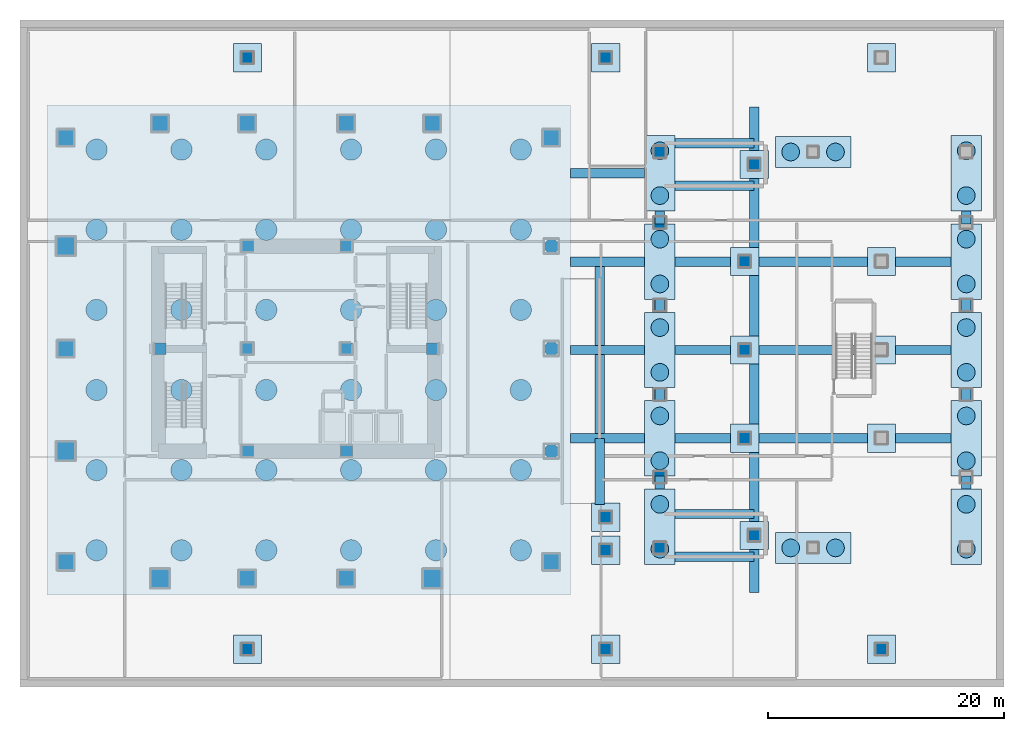
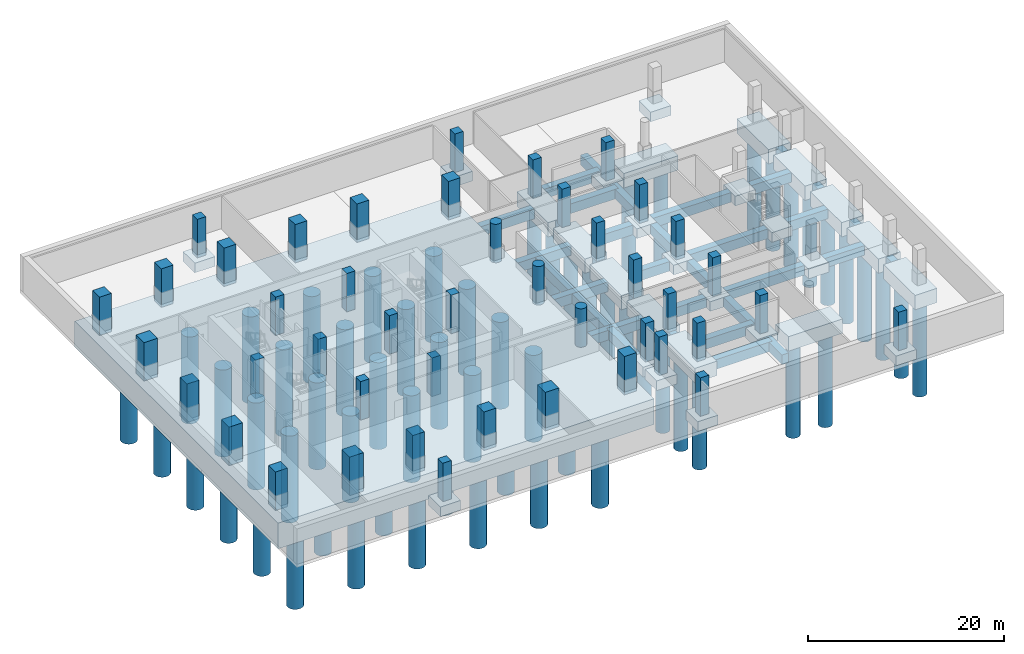
# One storey, part 1 of 13: 60 piles, 58 footings, 44 columns.
"""IFC4 building model written with IfcOpenShell, lengths in metres."""

from ifc_helpers import new_model, si_unit, direction, frame, origin, origin_2d, place, context, subcontext, project, spatial, rectangle, circle, extrude, material, material_profile, profile_set, type_object, element, save


model = new_model("IFC4")

# Units and contexts
model_context = context("Model", 3, precision=1e-05, world=origin(), true_north=direction((0.0, 1.0)))
body_context = subcontext(model_context, "Body", "Model", "MODEL_VIEW")
ifc_project = project(units=[si_unit("LENGTHUNIT", "METRE"), si_unit("AREAUNIT", "SQUARE_METRE"), si_unit("VOLUMEUNIT", "CUBIC_METRE"), si_unit("PLANEANGLEUNIT", "RADIAN"), si_unit("MASSUNIT", "GRAM", prefix="KILO")], contexts=[model_context])

# Site, building, storey
site_placement = place(None, origin())
site = spatial("IfcSite", under=ifc_project, at=site_placement, CompositionType="ELEMENT")
building_placement = place(site_placement, origin())
building = spatial("IfcBuilding", under=site, at=building_placement, Name="Solanera Arch Residences", CompositionType="ELEMENT")
storey_placement = place(building_placement, frame((0.0, 0.0, -13.199951171875)))
storey = spatial("IfcBuildingStorey", under=building, at=storey_placement, Name="B03", CompositionType="ELEMENT", Elevation=-13.199951171875)

# Piles
ifc_material_1 = material(Name="Concrete C40/50 (f'c = 45 MPa)", Category="concrete")
ifc_material_profile_1 = material_profile(ifc_material_1, circle(Radius=0.75, at=origin_2d()))
ifc_profile_set_1 = profile_set([ifc_material_profile_1], Name="Concrete C40/50 (f'c = 45 MPa)")
pile_type_1 = type_object("IfcPileType", Name="Bored Pile BP-1500", PredefinedType="BORED", material=ifc_profile_set_1)
for number, where, z_axis, x_axis, name in (
    (1, (55.800048828125, 13.699951171875, -2.050048828125), (0.0, 0.0, -1.0), (1.0, 0.0, 0.0), "Sports Hall Rock-Socketed Bored Pile 001"),
    (2, (55.800048828125, 17.5, -2.050048828125), (0.0, 0.0, -1.0), (1.0, 0.0, 0.0), "Sports Hall Rock-Socketed Bored Pile 002"),
    (3, (55.800048828125, 21.199951171875, -2.050048828125), (0.0, 0.0, -1.0), (1.0, 0.0, 0.0), "Sports Hall Rock-Socketed Bored Pile 003"),
    (4, (55.800048828125, 25.0, -2.050048828125), (0.0, 0.0, -1.0), (1.0, 0.0, 0.0), "Sports Hall Rock-Socketed Bored Pile 004"),
    (5, (55.800048828125, 28.699951171875, -2.050048828125), (0.0, 0.0, -1.0), (1.0, 0.0, 0.0), "Sports Hall Rock-Socketed Bored Pile 005"),
    (6, (55.800048828125, 32.5, -2.050048828125), (0.0, 0.0, -1.0), (1.0, 0.0, 0.0), "Sports Hall Rock-Socketed Bored Pile 006"),
    (7, (55.800048828125, 36.199951171875, -2.050048828125), (0.0, 0.0, -1.0), (1.0, 0.0, 0.0), "Sports Hall Rock-Socketed Bored Pile 007"),
    (8, (55.800048828125, 40.0, -2.050048828125), (0.0, 0.0, -1.0), (1.0, 0.0, 0.0), "Sports Hall Rock-Socketed Bored Pile 008"),
    (9, (55.800048828125, 43.699951171875, -2.050048828125), (0.0, 0.0, -1.0), (1.0, 0.0, 0.0), "Sports Hall Rock-Socketed Bored Pile 009"),
    (10, (55.800048828125, 47.5, -2.050048828125), (0.0, 0.0, -1.0), (1.0, 0.0, 0.0), "Sports Hall Rock-Socketed Bored Pile 010"),
    (11, (81.800048828125, 13.699951171875, -2.050048828125), (0.0, 0.0, -1.0), (1.0, 0.0, 0.0), "Sports Hall Rock-Socketed Bored Pile 011"),
    (12, (81.800048828125, 17.5, -2.050048828125), (0.0, 0.0, -1.0), (1.0, 0.0, 0.0), "Sports Hall Rock-Socketed Bored Pile 012"),
    (13, (81.800048828125, 21.199951171875, -2.050048828125), (0.0, 0.0, -1.0), (1.0, 0.0, 0.0), "Sports Hall Rock-Socketed Bored Pile 013"),
    (14, (81.800048828125, 25.0, -2.050048828125), (0.0, 0.0, -1.0), (1.0, 0.0, 0.0), "Sports Hall Rock-Socketed Bored Pile 014"),
    (15, (81.800048828125, 28.699951171875, -2.050048828125), (0.0, 0.0, -1.0), (1.0, 0.0, 0.0), "Sports Hall Rock-Socketed Bored Pile 015"),
    (16, (81.800048828125, 32.5, -2.050048828125), (0.0, 0.0, -1.0), (1.0, 0.0, 0.0), "Sports Hall Rock-Socketed Bored Pile 016"),
    (17, (81.800048828125, 36.199951171875, -2.050048828125), (0.0, 0.0, -1.0), (1.0, 0.0, 0.0), "Sports Hall Rock-Socketed Bored Pile 017"),
    (18, (81.800048828125, 40.0, -2.050048828125), (0.0, 0.0, -1.0), (1.0, 0.0, 0.0), "Sports Hall Rock-Socketed Bored Pile 018"),
    (19, (81.800048828125, 43.699951171875, -2.050048828125), (0.0, 0.0, -1.0), (1.0, 0.0, 0.0), "Sports Hall Rock-Socketed Bored Pile 019"),
    (20, (81.800048828125, 47.5, -2.050048828125), (0.0, 0.0, -1.0), (1.0, 0.0, 0.0), "Sports Hall Rock-Socketed Bored Pile 020"),
    (21, (66.89990234375, 13.800048828125, -2.050048828125), (0.0, 0.0, -1.0), (1.0, 0.0, 0.0), "Sports Hall Rock-Socketed Bored Pile 021"),
    (22, (70.699951171875, 13.800048828125, -2.050048828125), (0.0, 0.0, -1.0), (1.0, 0.0, 0.0), "Sports Hall Rock-Socketed Bored Pile 022"),
    (23, (66.89990234375, 47.39990234375, -2.050048828125), (0.0, 0.0, -1.0), (1.0, 0.0, 0.0), "Sports Hall Rock-Socketed Bored Pile 023"),
    (24, (70.699951171875, 47.39990234375, -2.050048828125), (0.0, 0.0, -1.0), (1.0, 0.0, 0.0), "Sports Hall Rock-Socketed Bored Pile 024"),
):
    element("IfcPile", number, at=place(storey_placement, frame(where, z_axis=z_axis, x_axis=x_axis)), inside=storey, type_object=pile_type_1, Name=name, PredefinedType="BORED", context=body_context, shape_type="SweptSolid", body=[
        extrude(circle(Radius=0.75, at=origin_2d()), origin(), (0.0, 0.0, 1.0), 11.75),
    ])
ifc_material_2 = material(Name="Concrete C40/50 (f'c = 45 MPa)", Category="concrete")
ifc_material_profile_2 = material_profile(ifc_material_2, circle(Radius=0.89990234375, at=origin_2d()))
ifc_profile_set_2 = profile_set([ifc_material_profile_2], Name="Concrete C40/50 (f'c = 45 MPa)")
pile_type_2 = type_object("IfcPileType", Name="Bored Pile BP-1800", PredefinedType="BORED", material=ifc_profile_set_2)
for number, where, z_axis, x_axis, name in (
    (25, (8.0, 13.60009765625, -3.449951171875), (0.0, 0.0, -1.0), (1.0, 0.0, 0.0), "Tower Rock-Socketed Bored Pile 001"),
    (26, (8.0, 20.39990234375, -3.449951171875), (0.0, 0.0, -1.0), (1.0, 0.0, 0.0), "Tower Rock-Socketed Bored Pile 002"),
    (27, (8.0, 27.199951171875, -3.449951171875), (0.0, 0.0, -1.0), (1.0, 0.0, 0.0), "Tower Rock-Socketed Bored Pile 003"),
    (28, (8.0, 34.0, -3.449951171875), (0.0, 0.0, -1.0), (1.0, 0.0, 0.0), "Tower Rock-Socketed Bored Pile 004"),
    (29, (8.0, 40.800048828125, -3.449951171875), (0.0, 0.0, -1.0), (1.0, 0.0, 0.0), "Tower Rock-Socketed Bored Pile 005"),
    (30, (8.0, 47.60009765625, -3.449951171875), (0.0, 0.0, -1.0), (1.0, 0.0, 0.0), "Tower Rock-Socketed Bored Pile 006"),
    (31, (15.199951171875, 13.60009765625, -3.449951171875), (0.0, 0.0, -1.0), (1.0, 0.0, 0.0), "Tower Rock-Socketed Bored Pile 007"),
    (32, (15.199951171875, 20.39990234375, -3.449951171875), (0.0, 0.0, -1.0), (1.0, 0.0, 0.0), "Tower Rock-Socketed Bored Pile 008"),
    (33, (15.199951171875, 27.199951171875, -3.449951171875), (0.0, 0.0, -1.0), (1.0, 0.0, 0.0), "Tower Rock-Socketed Bored Pile 009"),
    (34, (15.199951171875, 34.0, -3.449951171875), (0.0, 0.0, -1.0), (1.0, 0.0, 0.0), "Tower Rock-Socketed Bored Pile 010"),
    (35, (15.199951171875, 40.800048828125, -3.449951171875), (0.0, 0.0, -1.0), (1.0, 0.0, 0.0), "Tower Rock-Socketed Bored Pile 011"),
    (36, (15.199951171875, 47.60009765625, -3.449951171875), (0.0, 0.0, -1.0), (1.0, 0.0, 0.0), "Tower Rock-Socketed Bored Pile 012"),
    (37, (22.39990234375, 13.60009765625, -3.449951171875), (0.0, 0.0, -1.0), (1.0, 0.0, 0.0), "Tower Rock-Socketed Bored Pile 013"),
    (38, (22.39990234375, 20.39990234375, -3.449951171875), (0.0, 0.0, -1.0), (1.0, 0.0, 0.0), "Tower Rock-Socketed Bored Pile 014"),
    (39, (22.39990234375, 27.199951171875, -3.449951171875), (0.0, 0.0, -1.0), (1.0, 0.0, 0.0), "Tower Rock-Socketed Bored Pile 015"),
    (40, (22.39990234375, 34.0, -3.449951171875), (0.0, 0.0, -1.0), (1.0, 0.0, 0.0), "Tower Rock-Socketed Bored Pile 016"),
    (41, (22.39990234375, 40.800048828125, -3.449951171875), (0.0, 0.0, -1.0), (1.0, 0.0, 0.0), "Tower Rock-Socketed Bored Pile 017"),
    (42, (22.39990234375, 47.60009765625, -3.449951171875), (0.0, 0.0, -1.0), (1.0, 0.0, 0.0), "Tower Rock-Socketed Bored Pile 018"),
    (43, (29.60009765625, 13.60009765625, -3.449951171875), (0.0, 0.0, -1.0), (1.0, 0.0, 0.0), "Tower Rock-Socketed Bored Pile 019"),
    (44, (29.60009765625, 20.39990234375, -3.449951171875), (0.0, 0.0, -1.0), (1.0, 0.0, 0.0), "Tower Rock-Socketed Bored Pile 020"),
    (45, (29.60009765625, 27.199951171875, -3.449951171875), (0.0, 0.0, -1.0), (1.0, 0.0, 0.0), "Tower Rock-Socketed Bored Pile 021"),
    (46, (29.60009765625, 34.0, -3.449951171875), (0.0, 0.0, -1.0), (1.0, 0.0, 0.0), "Tower Rock-Socketed Bored Pile 022"),
    (47, (29.60009765625, 40.800048828125, -3.449951171875), (0.0, 0.0, -1.0), (1.0, 0.0, 0.0), "Tower Rock-Socketed Bored Pile 023"),
    (48, (29.60009765625, 47.60009765625, -3.449951171875), (0.0, 0.0, -1.0), (1.0, 0.0, 0.0), "Tower Rock-Socketed Bored Pile 024"),
    (49, (36.800048828125, 13.60009765625, -3.449951171875), (0.0, 0.0, -1.0), (1.0, 0.0, 0.0), "Tower Rock-Socketed Bored Pile 025"),
    (50, (36.800048828125, 20.39990234375, -3.449951171875), (0.0, 0.0, -1.0), (1.0, 0.0, 0.0), "Tower Rock-Socketed Bored Pile 026"),
    (51, (36.800048828125, 27.199951171875, -3.449951171875), (0.0, 0.0, -1.0), (1.0, 0.0, 0.0), "Tower Rock-Socketed Bored Pile 027"),
    (52, (36.800048828125, 34.0, -3.449951171875), (0.0, 0.0, -1.0), (1.0, 0.0, 0.0), "Tower Rock-Socketed Bored Pile 028"),
    (53, (36.800048828125, 40.800048828125, -3.449951171875), (0.0, 0.0, -1.0), (1.0, 0.0, 0.0), "Tower Rock-Socketed Bored Pile 029"),
    (54, (36.800048828125, 47.60009765625, -3.449951171875), (0.0, 0.0, -1.0), (1.0, 0.0, 0.0), "Tower Rock-Socketed Bored Pile 030"),
    (55, (44.0, 13.60009765625, -3.449951171875), (0.0, 0.0, -1.0), (1.0, 0.0, 0.0), "Tower Rock-Socketed Bored Pile 031"),
    (56, (44.0, 20.39990234375, -3.449951171875), (0.0, 0.0, -1.0), (1.0, 0.0, 0.0), "Tower Rock-Socketed Bored Pile 032"),
    (57, (44.0, 27.199951171875, -3.449951171875), (0.0, 0.0, -1.0), (1.0, 0.0, 0.0), "Tower Rock-Socketed Bored Pile 033"),
    (58, (44.0, 34.0, -3.449951171875), (0.0, 0.0, -1.0), (1.0, 0.0, 0.0), "Tower Rock-Socketed Bored Pile 034"),
    (59, (44.0, 40.800048828125, -3.449951171875), (0.0, 0.0, -1.0), (1.0, 0.0, 0.0), "Tower Rock-Socketed Bored Pile 035"),
    (60, (44.0, 47.60009765625, -3.449951171875), (0.0, 0.0, -1.0), (1.0, 0.0, 0.0), "Tower Rock-Socketed Bored Pile 036"),
):
    element("IfcPile", number, at=place(storey_placement, frame(where, z_axis=z_axis, x_axis=x_axis)), inside=storey, type_object=pile_type_2, Name=name, PredefinedType="BORED", context=body_context, shape_type="SweptSolid", body=[
        extrude(circle(Radius=0.89990234375, at=origin_2d()), origin(), (0.0, 0.0, 1.0), 10.85009765625),
    ])

# Footings
ifc_material_3 = material(Name="Concrete C40/50 (f'c = 45 MPa)", Category="concrete")
footing_type_1 = type_object("IfcFootingType", Name="Grade Footing Beam FB-800X1200", PredefinedType="FOOTING_BEAM", material=ifc_material_3)
for number, where, z_axis, x_axis, name in (
    (61, (51.35009765625, 23.10009765625, -1.60009765625), (0.0, 0.0, 1.0), (1.0, 0.0, 0.0), "Foundation Tie Beam 01"),
    (62, (51.35009765625, 30.60009765625, -1.60009765625), (0.0, 0.0, 1.0), (1.0, 0.0, 0.0), "Foundation Tie Beam 02"),
    (63, (51.35009765625, 38.10009765625, -1.60009765625), (0.0, 0.0, 1.0), (1.0, 0.0, 0.0), "Foundation Tie Beam 03"),
    (64, (51.35009765625, 45.60009765625, -1.60009765625), (0.0, 0.0, 1.0), (1.0, 0.0, 0.0), "Foundation Tie Beam 04"),
):
    element("IfcFooting", number, at=place(storey_placement, frame(where, z_axis=z_axis, x_axis=x_axis)), inside=storey, type_object=footing_type_1, Name=name, PredefinedType="FOOTING_BEAM", context=body_context, shape_type="SweptSolid", body=[
        extrude(rectangle(XDim=6.300048828125, YDim=0.800048828125, at=origin_2d()), origin(), (0.0, 0.0, 1.0), 1.199951171875),
    ])
for number, where, z_axis, x_axis, name in (
    (65, (55.800048828125, 19.35009765625, -1.60009765625), (0.0, 0.0, 1.0), (1.0, 0.0, 0.0), "Foundation Tie Beam 05"),
    (66, (81.800048828125, 19.35009765625, -1.60009765625), (0.0, 0.0, 1.0), (1.0, 0.0, 0.0), "Foundation Tie Beam 06"),
    (67, (55.800048828125, 26.85009765625, -1.60009765625), (0.0, 0.0, 1.0), (1.0, 0.0, 0.0), "Foundation Tie Beam 07"),
    (68, (81.800048828125, 26.85009765625, -1.60009765625), (0.0, 0.0, 1.0), (1.0, 0.0, 0.0), "Foundation Tie Beam 08"),
    (69, (55.800048828125, 34.35009765625, -1.60009765625), (0.0, 0.0, 1.0), (1.0, 0.0, 0.0), "Foundation Tie Beam 09"),
    (70, (81.800048828125, 34.35009765625, -1.60009765625), (0.0, 0.0, 1.0), (1.0, 0.0, 0.0), "Foundation Tie Beam 10"),
    (71, (55.800048828125, 41.85009765625, -1.60009765625), (0.0, 0.0, 1.0), (1.0, 0.0, 0.0), "Foundation Tie Beam 11"),
    (72, (81.800048828125, 41.85009765625, -1.60009765625), (0.0, 0.0, 1.0), (1.0, 0.0, 0.0), "Foundation Tie Beam 12"),
):
    element("IfcFooting", number, at=place(storey_placement, frame(where, z_axis=z_axis, x_axis=x_axis)), inside=storey, type_object=footing_type_1, Name=name, PredefinedType="FOOTING_BEAM", context=body_context, shape_type="SweptSolid", body=[
        extrude(rectangle(XDim=0.800048828125, YDim=1.10009765625, at=origin_2d()), origin(), (0.0, 0.0, 1.0), 1.199951171875),
    ])
footing_1_placement = place(storey_placement, frame((59.449951171875, 23.10009765625, -1.60009765625), z_axis=(0.0, 0.0, 1.0), x_axis=(1.0, 0.0, 0.0)))
element("IfcFooting", 73, at=footing_1_placement, inside=storey, type_object=footing_type_1, Name="Foundation Tie Beam 13", PredefinedType="FOOTING_BEAM", context=body_context, shape_type="SweptSolid", body=[
    extrude(rectangle(XDim=4.699951171875, YDim=0.800048828125, at=origin_2d()), origin(), (0.0, 0.0, 1.0), 1.199951171875),
])
footing_2_placement = place(storey_placement, frame((68.800048828125, 23.10009765625, -1.60009765625), z_axis=(0.0, 0.0, 1.0), x_axis=(1.0, 0.0, 0.0)))
element("IfcFooting", 74, at=footing_2_placement, inside=storey, type_object=footing_type_1, Name="Foundation Tie Beam 14", PredefinedType="FOOTING_BEAM", context=body_context, shape_type="SweptSolid", body=[
    extrude(rectangle(XDim=9.199951171875, YDim=0.800048828125, at=origin_2d()), origin(), (0.0, 0.0, 1.0), 1.199951171875),
])
for number, where, z_axis, x_axis, name in (
    (75, (78.14990234375, 23.10009765625, -1.60009765625), (0.0, 0.0, 1.0), (1.0, 0.0, 0.0), "Foundation Tie Beam 15"),
    (76, (59.449951171875, 30.60009765625, -1.60009765625), (0.0, 0.0, 1.0), (1.0, 0.0, 0.0), "Foundation Tie Beam 16"),
):
    element("IfcFooting", number, at=place(storey_placement, frame(where, z_axis=z_axis, x_axis=x_axis)), inside=storey, type_object=footing_type_1, Name=name, PredefinedType="FOOTING_BEAM", context=body_context, shape_type="SweptSolid", body=[
        extrude(rectangle(XDim=4.699951171875, YDim=0.800048828125, at=origin_2d()), origin(), (0.0, 0.0, 1.0), 1.199951171875),
    ])
footing_3_placement = place(storey_placement, frame((68.800048828125, 30.60009765625, -1.60009765625), z_axis=(0.0, 0.0, 1.0), x_axis=(1.0, 0.0, 0.0)))
element("IfcFooting", 77, at=footing_3_placement, inside=storey, type_object=footing_type_1, Name="Foundation Tie Beam 17", PredefinedType="FOOTING_BEAM", context=body_context, shape_type="SweptSolid", body=[
    extrude(rectangle(XDim=9.199951171875, YDim=0.800048828125, at=origin_2d()), origin(), (0.0, 0.0, 1.0), 1.199951171875),
])
for number, where, z_axis, x_axis, name in (
    (78, (78.14990234375, 30.60009765625, -1.60009765625), (0.0, 0.0, 1.0), (1.0, 0.0, 0.0), "Foundation Tie Beam 18"),
    (79, (59.449951171875, 38.10009765625, -1.60009765625), (0.0, 0.0, 1.0), (1.0, 0.0, 0.0), "Foundation Tie Beam 19"),
):
    element("IfcFooting", number, at=place(storey_placement, frame(where, z_axis=z_axis, x_axis=x_axis)), inside=storey, type_object=footing_type_1, Name=name, PredefinedType="FOOTING_BEAM", context=body_context, shape_type="SweptSolid", body=[
        extrude(rectangle(XDim=4.699951171875, YDim=0.800048828125, at=origin_2d()), origin(), (0.0, 0.0, 1.0), 1.199951171875),
    ])
footing_4_placement = place(storey_placement, frame((68.800048828125, 38.10009765625, -1.60009765625), z_axis=(0.0, 0.0, 1.0), x_axis=(1.0, 0.0, 0.0)))
element("IfcFooting", 80, at=footing_4_placement, inside=storey, type_object=footing_type_1, Name="Foundation Tie Beam 20", PredefinedType="FOOTING_BEAM", context=body_context, shape_type="SweptSolid", body=[
    extrude(rectangle(XDim=9.199951171875, YDim=0.800048828125, at=origin_2d()), origin(), (0.0, 0.0, 1.0), 1.199951171875),
])
footing_5_placement = place(storey_placement, frame((78.14990234375, 38.10009765625, -1.60009765625), z_axis=(0.0, 0.0, 1.0), x_axis=(1.0, 0.0, 0.0)))
element("IfcFooting", 81, at=footing_5_placement, inside=storey, type_object=footing_type_1, Name="Foundation Tie Beam 21", PredefinedType="FOOTING_BEAM", context=body_context, shape_type="SweptSolid", body=[
    extrude(rectangle(XDim=4.699951171875, YDim=0.800048828125, at=origin_2d()), origin(), (0.0, 0.0, 1.0), 1.199951171875),
])
for number, where, z_axis, x_axis, name in (
    (82, (60.449951171875, 13.06005859375, -1.60009765625), (0.0, 0.0, 1.0), (1.0, 0.0, 0.0), "Foundation Tie Beam 22"),
    (83, (60.449951171875, 16.679931640625, -1.60009765625), (0.0, 0.0, 1.0), (1.0, 0.0, 0.0), "Foundation Tie Beam 23"),
    (84, (60.449951171875, 44.52001953125, -1.60009765625), (0.0, 0.0, 1.0), (1.0, 0.0, 0.0), "Foundation Tie Beam 24"),
    (85, (60.449951171875, 48.139892578125, -1.60009765625), (0.0, 0.0, 1.0), (1.0, 0.0, 0.0), "Foundation Tie Beam 25"),
):
    element("IfcFooting", number, at=place(storey_placement, frame(where, z_axis=z_axis, x_axis=x_axis)), inside=storey, type_object=footing_type_1, Name=name, PredefinedType="FOOTING_BEAM", context=body_context, shape_type="SweptSolid", body=[
        extrude(rectangle(XDim=6.699951171875, YDim=0.800048828125, at=origin_2d()), origin(), (0.0, 0.0, 1.0), 1.199951171875),
    ])
footing_6_placement = place(storey_placement, frame((63.800048828125, 30.60009765625, -1.60009765625), z_axis=(0.0, 0.0, 1.0), x_axis=(1.0, 0.0, 0.0)))
element("IfcFooting", 86, at=footing_6_placement, inside=storey, type_object=footing_type_1, Name="Foundation Tie Beam 26", PredefinedType="FOOTING_BEAM", context=body_context, shape_type="SweptSolid", body=[
    extrude(rectangle(XDim=0.800048828125, YDim=41.199951171875, at=origin_2d()), origin(), (0.0, 0.0, 1.0), 1.199951171875),
])
footing_7_placement = place(storey_placement, frame((50.679931640625, 20.300048828125, -1.60009765625), z_axis=(0.0, 0.0, 1.0), x_axis=(1.0, 0.0, 0.0)))
element("IfcFooting", 87, at=footing_7_placement, inside=storey, type_object=footing_type_1, Name="Foundation Tie Beam 27", PredefinedType="FOOTING_BEAM", context=body_context, shape_type="SweptSolid", body=[
    extrude(rectangle(XDim=0.800048828125, YDim=5.60009765625, at=origin_2d()), origin(), (0.0, 0.0, 1.0), 1.199951171875),
])
for number, where, z_axis, x_axis, name in (
    (88, (50.679931640625, 26.85009765625, -1.60009765625), (0.0, 0.0, 1.0), (1.0, 0.0, 0.0), "Foundation Tie Beam 28"),
    (89, (50.679931640625, 34.35009765625, -1.60009765625), (0.0, 0.0, 1.0), (1.0, 0.0, 0.0), "Foundation Tie Beam 29"),
):
    element("IfcFooting", number, at=place(storey_placement, frame(where, z_axis=z_axis, x_axis=x_axis)), inside=storey, type_object=footing_type_1, Name=name, PredefinedType="FOOTING_BEAM", context=body_context, shape_type="SweptSolid", body=[
        extrude(rectangle(XDim=0.800048828125, YDim=7.5, at=origin_2d()), origin(), (0.0, 0.0, 1.0), 1.199951171875),
    ])
ifc_material_4 = material(Name="Concrete C40/50 (f'c = 45 MPa)", Category="concrete")
footing_type_2 = type_object("IfcFootingType", Name="Pad Footing PF-2400", PredefinedType="PAD_FOOTING", material=ifc_material_4)
for number, where, z_axis, x_axis, name in (
    (90, (63.0, 23.10009765625, -1.60009765625), (0.0, 0.0, 1.0), (1.0, 0.0, 0.0), "Basement Plinth Pad Footing FT-PAD-01"),
    (91, (74.60009765625, 23.10009765625, -1.60009765625), (0.0, 0.0, 1.0), (1.0, 0.0, 0.0), "Basement Plinth Pad Footing FT-PAD-02"),
    (92, (63.0, 30.60009765625, -1.60009765625), (0.0, 0.0, 1.0), (1.0, 0.0, 0.0), "Basement Plinth Pad Footing FT-PAD-03"),
    (93, (74.60009765625, 30.60009765625, -1.60009765625), (0.0, 0.0, 1.0), (1.0, 0.0, 0.0), "Basement Plinth Pad Footing FT-PAD-04"),
    (94, (63.0, 38.10009765625, -1.60009765625), (0.0, 0.0, 1.0), (1.0, 0.0, 0.0), "Basement Plinth Pad Footing FT-PAD-05"),
    (95, (74.60009765625, 38.10009765625, -1.60009765625), (0.0, 0.0, 1.0), (1.0, 0.0, 0.0), "Basement Plinth Pad Footing FT-PAD-06"),
    (96, (51.199951171875, 13.60009765625, -1.60009765625), (0.0, 0.0, 1.0), (1.0, 0.0, 0.0), "Basement Plinth Pad Footing FT-PAD-07"),
    (97, (51.199951171875, 16.39990234375, -1.60009765625), (0.0, 0.0, 1.0), (1.0, 0.0, 0.0), "Basement Plinth Pad Footing FT-PAD-08"),
    (98, (20.800048828125, 5.199951171875, -1.60009765625), (0.0, 0.0, 1.0), (1.0, 0.0, 0.0), "Basement Plinth Pad Footing FT-PAD-09"),
    (99, (51.199951171875, 5.199951171875, -1.60009765625), (0.0, 0.0, 1.0), (1.0, 0.0, 0.0), "Basement Plinth Pad Footing FT-PAD-10"),
    (100, (74.60009765625, 5.199951171875, -1.60009765625), (0.0, 0.0, 1.0), (1.0, 0.0, 0.0), "Basement Plinth Pad Footing FT-PAD-11"),
    (101, (20.800048828125, 55.39990234375, -1.60009765625), (0.0, 0.0, 1.0), (1.0, 0.0, 0.0), "Basement Plinth Pad Footing FT-PAD-12"),
    (102, (51.199951171875, 55.39990234375, -1.60009765625), (0.0, 0.0, 1.0), (1.0, 0.0, 0.0), "Basement Plinth Pad Footing FT-PAD-13"),
    (103, (74.60009765625, 55.39990234375, -1.60009765625), (0.0, 0.0, 1.0), (1.0, 0.0, 0.0), "Basement Plinth Pad Footing FT-PAD-14"),
    (104, (63.800048828125, 14.860107421875, -1.60009765625), (0.0, 0.0, 1.0), (1.0, 0.0, 0.0), "Basement Plinth Pad Footing FT-PAD-15"),
    (105, (63.800048828125, 46.340087890625, -1.60009765625), (0.0, 0.0, 1.0), (1.0, 0.0, 0.0), "Basement Plinth Pad Footing FT-PAD-16"),
):
    element("IfcFooting", number, at=place(storey_placement, frame(where, z_axis=z_axis, x_axis=x_axis)), inside=storey, type_object=footing_type_2, Name=name, PredefinedType="PAD_FOOTING", context=body_context, shape_type="SweptSolid", body=[
        extrude(rectangle(XDim=2.39990234375, YDim=2.39990234375, at=origin_2d()), origin(), (0.0, 0.0, 1.0), 1.199951171875),
    ])
ifc_material_5 = material(Name="Concrete C40/50 (f'c = 45 MPa)", Category="concrete")
footing_type_3 = type_object("IfcFootingType", Name="Pile Cap PC-2600X6400", PredefinedType="PILE_CAP", material=ifc_material_5)
for number, where, z_axis, x_axis, name in (
    (106, (55.800048828125, 15.60009765625, -2.2001953125), (0.0, 0.0, 1.0), (1.0, 0.0, 0.0), "Sports Hall Pile Cap FT-SH-W1"),
    (107, (55.800048828125, 23.10009765625, -2.2001953125), (0.0, 0.0, 1.0), (1.0, 0.0, 0.0), "Sports Hall Pile Cap FT-SH-W2"),
    (108, (55.800048828125, 30.60009765625, -2.2001953125), (0.0, 0.0, 1.0), (1.0, 0.0, 0.0), "Sports Hall Pile Cap FT-SH-W3"),
    (109, (55.800048828125, 38.10009765625, -2.2001953125), (0.0, 0.0, 1.0), (1.0, 0.0, 0.0), "Sports Hall Pile Cap FT-SH-W4"),
    (110, (55.800048828125, 45.60009765625, -2.2001953125), (0.0, 0.0, 1.0), (1.0, 0.0, 0.0), "Sports Hall Pile Cap FT-SH-W5"),
    (111, (81.800048828125, 15.60009765625, -2.2001953125), (0.0, 0.0, 1.0), (1.0, 0.0, 0.0), "Sports Hall Pile Cap FT-SH-E1"),
    (112, (81.800048828125, 23.10009765625, -2.2001953125), (0.0, 0.0, 1.0), (1.0, 0.0, 0.0), "Sports Hall Pile Cap FT-SH-E2"),
    (113, (81.800048828125, 30.60009765625, -2.2001953125), (0.0, 0.0, 1.0), (1.0, 0.0, 0.0), "Sports Hall Pile Cap FT-SH-E3"),
    (114, (81.800048828125, 38.10009765625, -2.2001953125), (0.0, 0.0, 1.0), (1.0, 0.0, 0.0), "Sports Hall Pile Cap FT-SH-E4"),
    (115, (81.800048828125, 45.60009765625, -2.2001953125), (0.0, 0.0, 1.0), (1.0, 0.0, 0.0), "Sports Hall Pile Cap FT-SH-E5"),
):
    element("IfcFooting", number, at=place(storey_placement, frame(where, z_axis=z_axis, x_axis=x_axis)), inside=storey, type_object=footing_type_3, Name=name, PredefinedType="PILE_CAP", context=body_context, shape_type="SweptSolid", body=[
        extrude(rectangle(XDim=2.60009765625, YDim=6.39990234375, at=origin_2d()), origin(), (0.0, 0.0, 1.0), 1.800048828125),
    ])
ifc_material_6 = material(Name="Concrete C40/50 (f'c = 45 MPa)", Category="concrete")
footing_type_4 = type_object("IfcFootingType", Name="Pile Cap PC-6400X2600", PredefinedType="PILE_CAP", material=ifc_material_6)
for number, where, z_axis, x_axis, name in (
    (116, (68.800048828125, 13.800048828125, -2.2001953125), (0.0, 0.0, 1.0), (1.0, 0.0, 0.0), "Sports Hall Pile Cap FT-SH-S1"),
    (117, (68.800048828125, 47.39990234375, -2.2001953125), (0.0, 0.0, 1.0), (1.0, 0.0, 0.0), "Sports Hall Pile Cap FT-SH-N1"),
):
    element("IfcFooting", number, at=place(storey_placement, frame(where, z_axis=z_axis, x_axis=x_axis)), inside=storey, type_object=footing_type_4, Name=name, PredefinedType="PILE_CAP", context=body_context, shape_type="SweptSolid", body=[
        extrude(rectangle(XDim=6.39990234375, YDim=2.60009765625, at=origin_2d()), origin(), (0.0, 0.0, 1.0), 1.800048828125),
    ])
ifc_material_7 = material(Name="Concrete C55/67 (f'c = 60 MPa)", Category="concrete")
footing_type_5 = type_object("IfcFootingType", Name="Piled Raft Foundation RF-3200", PredefinedType="PILE_CAP", material=ifc_material_7)
footing_8_placement = place(storey_placement, frame((26.0, 30.60009765625, -3.60009765625), z_axis=(0.0, 0.0, 1.0), x_axis=(1.0, 0.0, 0.0)))
element("IfcFooting", 118, at=footing_8_placement, inside=storey, type_object=footing_type_5, Name="Tower B03 High-Strength Piled Raft", PredefinedType="PILE_CAP", context=body_context, shape_type="SweptSolid", body=[
    extrude(rectangle(XDim=44.39990234375, YDim=41.60009765625, at=origin_2d()), origin(), (0.0, 0.0, 1.0), 3.199951171875),
])

# Columns
ifc_material_8 = material(Name="Concrete C55/67 (f'c = 60 MPa)", Category="concrete")
ifc_material_profile_3 = material_profile(ifc_material_8, rectangle(XDim=1.0, YDim=1.0, at=origin_2d()))
ifc_profile_set_3 = profile_set([ifc_material_profile_3], Name="Concrete C55/67 (f'c = 60 MPa)")
column_type_1 = type_object("IfcColumnType", Name="Structural Column RC-COL-1000X1000", PredefinedType="COLUMN", material=ifc_profile_set_3)
for number, where, z_axis, x_axis, name in (
    (119, (20.800048828125, 22.0, -0.400146484375), (0.0, 0.0, 1.0), (1.0, 0.0, 0.0), "COL-B03-CB-SW"),
    (120, (29.199951171875, 22.0, -0.400146484375), (0.0, 0.0, 1.0), (1.0, 0.0, 0.0), "COL-B03-CB-SE"),
    (121, (20.800048828125, 39.39990234375, -0.400146484375), (0.0, 0.0, 1.0), (1.0, 0.0, 0.0), "COL-B03-CB-NW"),
    (122, (29.199951171875, 39.39990234375, -0.400146484375), (0.0, 0.0, 1.0), (1.0, 0.0, 0.0), "COL-B03-CB-NE"),
    (123, (13.39990234375, 30.699951171875, -0.400146484375), (0.0, 0.0, 1.0), (1.0, 0.0, 0.0), "COL-B03-CB-WW"),
    (124, (36.5, 30.699951171875, -0.400146484375), (0.0, 0.0, 1.0), (1.0, 0.0, 0.0), "COL-B03-CB-EE"),
    (125, (20.800048828125, 30.699951171875, -0.400146484375), (0.0, 0.0, 1.0), (1.0, 0.0, 0.0), "COL-B03-CORE-W"),
    (126, (29.199951171875, 30.699951171875, -0.400146484375), (0.0, 0.0, 1.0), (1.0, 0.0, 0.0), "COL-B03-CORE-E"),
    (127, (63.0, 23.10009765625, -0.400146484375), (0.0, 0.0, 1.0), (1.0, 0.0, 0.0), "COL-B03-PAD-01"),
    (128, (63.0, 30.60009765625, -0.400146484375), (0.0, 0.0, 1.0), (1.0, 0.0, 0.0), "COL-B03-PAD-03"),
    (129, (63.0, 38.10009765625, -0.400146484375), (0.0, 0.0, 1.0), (1.0, 0.0, 0.0), "COL-B03-PAD-05"),
    (130, (51.199951171875, 13.60009765625, -0.400146484375), (0.0, 0.0, 1.0), (1.0, 0.0, 0.0), "COL-B03-PAD-07"),
    (131, (51.199951171875, 16.39990234375, -0.400146484375), (0.0, 0.0, 1.0), (1.0, 0.0, 0.0), "COL-B03-PAD-08"),
    (132, (20.800048828125, 5.199951171875, -0.400146484375), (0.0, 0.0, 1.0), (1.0, 0.0, 0.0), "COL-B03-PAD-09"),
    (133, (51.199951171875, 5.199951171875, -0.400146484375), (0.0, 0.0, 1.0), (1.0, 0.0, 0.0), "COL-B03-PAD-10"),
    (134, (74.60009765625, 5.199951171875, -0.400146484375), (0.0, 0.0, 1.0), (1.0, 0.0, 0.0), "COL-B03-PAD-11"),
    (135, (20.800048828125, 55.39990234375, -0.400146484375), (0.0, 0.0, 1.0), (1.0, 0.0, 0.0), "COL-B03-PAD-12"),
    (136, (51.199951171875, 55.39990234375, -0.400146484375), (0.0, 0.0, 1.0), (1.0, 0.0, 0.0), "COL-B03-PAD-13"),
    (137, (63.800048828125, 14.860107421875, -0.400146484375), (0.0, 0.0, 1.0), (1.0, 0.0, 0.0), "COL-B03-PAD-15"),
    (138, (63.800048828125, 46.340087890625, -0.400146484375), (0.0, 0.0, 1.0), (1.0, 0.0, 0.0), "COL-B03-PAD-16"),
    (139, (55.800048828125, 13.800048828125, -0.400146484375), (0.0, 0.0, 1.0), (1.0, 0.0, 0.0), "COL-B03-HALL-01"),
    (140, (55.800048828125, 19.800048828125, -0.400146484375), (0.0, 0.0, 1.0), (1.0, 0.0, 0.0), "COL-B03-HALL-02"),
    (141, (55.800048828125, 26.800048828125, -0.400146484375), (0.0, 0.0, 1.0), (1.0, 0.0, 0.0), "COL-B03-HALL-03"),
    (142, (55.800048828125, 34.39990234375, -0.400146484375), (0.0, 0.0, 1.0), (1.0, 0.0, 0.0), "COL-B03-HALL-04"),
    (143, (55.800048828125, 41.39990234375, -0.400146484375), (0.0, 0.0, 1.0), (1.0, 0.0, 0.0), "COL-B03-HALL-05"),
    (144, (55.800048828125, 47.39990234375, -0.400146484375), (0.0, 0.0, 1.0), (1.0, 0.0, 0.0), "COL-B03-HALL-06"),
):
    element("IfcColumn", number, at=place(storey_placement, frame(where, z_axis=z_axis, x_axis=x_axis)), inside=storey, type_object=column_type_1, Name=name, PredefinedType="COLUMN", context=body_context, shape_type="SweptSolid", body=[
        extrude(rectangle(XDim=1.0, YDim=1.0, at=origin_2d()), origin(), (0.0, 0.0, 1.0), 4.800048828125),
    ])
ifc_material_9 = material(Name="Concrete C55/67 (f'c = 60 MPa)", Category="concrete")
ifc_material_profile_4 = material_profile(ifc_material_9, rectangle(XDim=1.39990234375, YDim=1.39990234375, at=origin_2d()))
ifc_profile_set_4 = profile_set([ifc_material_profile_4], Name="Concrete C55/67 (f'c = 60 MPa)")
column_type_2 = type_object("IfcColumnType", Name="Structural Column RC-COL-1400X1400", PredefinedType="COLUMN", material=ifc_profile_set_4)
for number, where, z_axis, x_axis, name in (
    (145, (13.39990234375, 49.800048828125, -0.400146484375), (0.0, 0.0, 1.0), (1.0, 0.0, 0.0), "COL-B03-POD-03"),
    (146, (20.800048828125, 49.800048828125, -0.400146484375), (0.0, 0.0, 1.0), (1.0, 0.0, 0.0), "COL-B03-POD-04"),
    (147, (29.199951171875, 49.800048828125, -0.400146484375), (0.0, 0.0, 1.0), (1.0, 0.0, 0.0), "COL-B03-POD-05"),
    (148, (36.5, 49.800048828125, -0.400146484375), (0.0, 0.0, 1.0), (1.0, 0.0, 0.0), "COL-B03-POD-06"),
    (149, (5.39990234375, 30.699951171875, -0.400146484375), (0.0, 0.0, 1.0), (1.0, 0.0, 0.0), "COL-B03-POD-08"),
    (150, (5.39990234375, 12.60009765625, -0.400146484375), (0.0, 0.0, 1.0), (1.0, 0.0, 0.0), "COL-B03-POD-13"),
    (151, (46.60009765625, 12.60009765625, -0.400146484375), (0.0, 0.0, 1.0), (1.0, 0.0, 0.0), "COL-B03-POD-14"),
    (152, (5.39990234375, 48.60009765625, -0.400146484375), (0.0, 0.0, 1.0), (1.0, 0.0, 0.0), "COL-B03-POD-15"),
    (153, (46.60009765625, 48.60009765625, -0.400146484375), (0.0, 0.0, 1.0), (1.0, 0.0, 0.0), "COL-B03-POD-16"),
    (154, (20.800048828125, 11.199951171875, -0.400146484375), (0.0, 0.0, 1.0), (1.0, 0.0, 0.0), "COL-B03-POD-AS1"),
    (155, (29.199951171875, 11.199951171875, -0.400146484375), (0.0, 0.0, 1.0), (1.0, 0.0, 0.0), "COL-B03-POD-AS2"),
):
    element("IfcColumn", number, at=place(storey_placement, frame(where, z_axis=z_axis, x_axis=x_axis)), inside=storey, type_object=column_type_2, Name=name, PredefinedType="COLUMN", context=body_context, shape_type="SweptSolid", body=[
        extrude(rectangle(XDim=1.39990234375, YDim=1.39990234375, at=origin_2d()), origin(), (0.0, 0.0, 1.0), 4.800048828125),
    ])
ifc_material_10 = material(Name="Concrete C55/67 (f'c = 60 MPa)", Category="concrete")
ifc_material_profile_5 = material_profile(ifc_material_10, rectangle(XDim=1.60009765625, YDim=1.60009765625, at=origin_2d()))
ifc_profile_set_5 = profile_set([ifc_material_profile_5], Name="Concrete C55/67 (f'c = 60 MPa)")
column_type_3 = type_object("IfcColumnType", Name="Structural Column RC-COL-1600X1600", PredefinedType="COLUMN", material=ifc_profile_set_5)
for number, where, z_axis, x_axis, name in (
    (156, (13.39990234375, 11.199951171875, -0.400146484375), (0.0, 0.0, 1.0), (1.0, 0.0, 0.0), "COL-B03-POD-01"),
    (157, (36.5, 11.199951171875, -0.400146484375), (0.0, 0.0, 1.0), (1.0, 0.0, 0.0), "COL-B03-POD-02"),
    (158, (5.39990234375, 22.0, -0.400146484375), (0.0, 0.0, 1.0), (1.0, 0.0, 0.0), "COL-B03-POD-07"),
    (159, (5.39990234375, 39.39990234375, -0.400146484375), (0.0, 0.0, 1.0), (1.0, 0.0, 0.0), "COL-B03-POD-09"),
):
    element("IfcColumn", number, at=place(storey_placement, frame(where, z_axis=z_axis, x_axis=x_axis)), inside=storey, type_object=column_type_3, Name=name, PredefinedType="COLUMN", context=body_context, shape_type="SweptSolid", body=[
        extrude(rectangle(XDim=1.60009765625, YDim=1.60009765625, at=origin_2d()), origin(), (0.0, 0.0, 1.0), 4.800048828125),
    ])
ifc_material_11 = material(Name="Concrete C55/67 (f'c = 60 MPa)", Category="concrete")
ifc_material_profile_6 = material_profile(ifc_material_11, circle(Radius=0.60009765625, at=origin_2d()))
ifc_profile_set_6 = profile_set([ifc_material_profile_6], Name="Concrete C55/67 (f'c = 60 MPa)")
column_type_4 = type_object("IfcColumnType", Name="Structural Column RC-COL-D1200", PredefinedType="COLUMN", material=ifc_profile_set_6)
for number, where, z_axis, x_axis, name in (
    (160, (46.60009765625, 22.0, -0.400146484375), (0.0, 0.0, 1.0), (1.0, 0.0, 0.0), "COL-B03-POD-10"),
    (161, (46.60009765625, 30.699951171875, -0.400146484375), (0.0, 0.0, 1.0), (1.0, 0.0, 0.0), "COL-B03-POD-11"),
    (162, (46.60009765625, 39.39990234375, -0.400146484375), (0.0, 0.0, 1.0), (1.0, 0.0, 0.0), "COL-B03-POD-12"),
):
    element("IfcColumn", number, at=place(storey_placement, frame(where, z_axis=z_axis, x_axis=x_axis)), inside=storey, type_object=column_type_4, Name=name, PredefinedType="COLUMN", context=body_context, shape_type="SweptSolid", body=[
        extrude(circle(Radius=0.60009765625, at=origin_2d()), origin(), (0.0, 0.0, 1.0), 4.800048828125),
    ])

save(model, "model.ifc")
